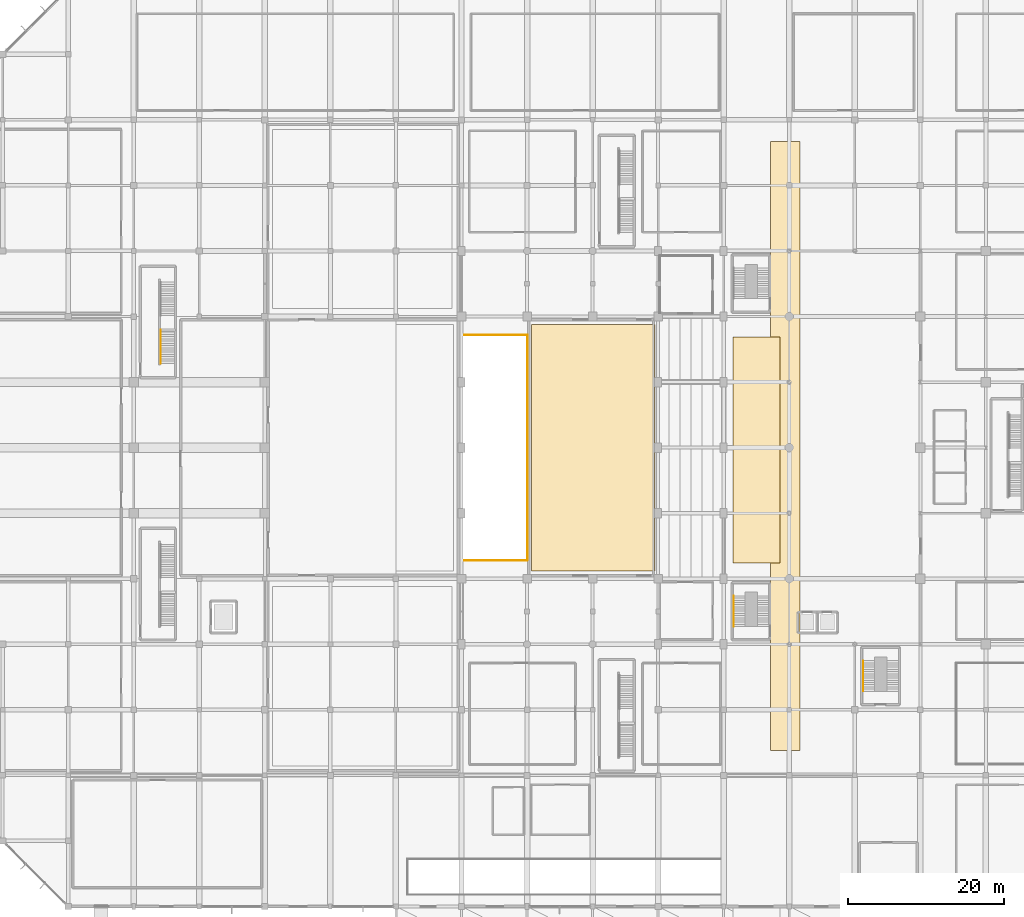
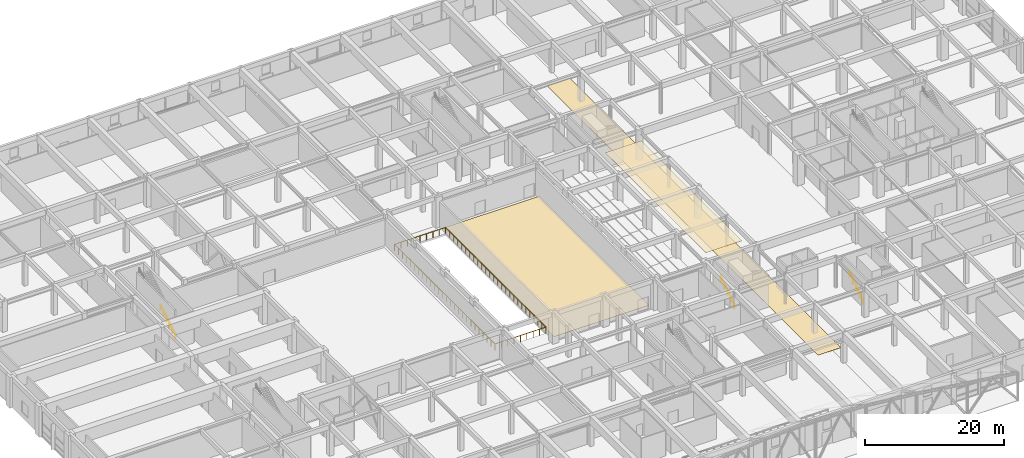
# One storey, part 56 of 62: 4 railings, 3 coverings.
"""IFC4 building model written with IfcOpenShell, lengths in metres."""

from ifc_helpers import new_model, si_unit, direction, frame, origin, origin_2d, place, context, subcontext, project, spatial, polyline, circle, outline, extrude, material, layer, layer_set, type_object, element, save


model = new_model("IFC4")

# Units and contexts
model_context = context("Model", 3, precision=1e-05, world=origin(), true_north=direction((0.0, 1.0)))
body_context = subcontext(model_context, "Body", "Model", "MODEL_VIEW")
ifc_project = project(units=[si_unit("LENGTHUNIT", "METRE"), si_unit("AREAUNIT", "SQUARE_METRE"), si_unit("VOLUMEUNIT", "CUBIC_METRE"), si_unit("PLANEANGLEUNIT", "RADIAN"), si_unit("MASSUNIT", "GRAM", prefix="KILO")], contexts=[model_context])

# Site, building, storey
site_placement = place(None, origin())
site = spatial("IfcSite", under=ifc_project, at=site_placement, CompositionType="ELEMENT")
building_placement = place(site_placement, origin())
building = spatial("IfcBuilding", under=site, at=building_placement, Name="Xuanlan Plaza Opera House", CompositionType="ELEMENT")
storey_placement = place(building_placement, origin())
storey = spatial("IfcBuildingStorey", under=building, at=storey_placement, Name="L00", CompositionType="ELEMENT", Elevation=0.0)

# Coverings
ifc_material_1 = material(Name="Gypsum Acoustic Board", Category="gypsum")
ifc_layer_1 = layer(ifc_material_1, 0.044921875)
ifc_layer_set_1 = layer_set([ifc_layer_1], Name="Gypsum Acoustic Board")
covering_type_1 = type_object("IfcCoveringType", Name="INT-COV-CLG-01", PredefinedType="CEILING", material=ifc_layer_set_1)
covering_1_placement = place(storey_placement, frame((0.0, 0.0, 5.094970703125)))
element("IfcCovering", 1, at=covering_1_placement, inside=storey, type_object=covering_type_1, Name="Acoustic Baffle Ceiling L00", PredefinedType="CEILING", context=body_context, shape_type="SweptSolid", body=[
    extrude(outline(polyline([(102.0, 44.0), (108.0, 44.0), (108.0, 73.0), (102.0, 73.0), (102.0, 44.0)])), origin(), (0.0, 0.0, 1.0), 0.044921875),
])
ifc_material_2 = material(Name="Walnut Hardwood Timber", Category="wood")
ifc_layer_2 = layer(ifc_material_2, 0.02490234375)
ifc_layer_set_2 = layer_set([ifc_layer_2], Name="Walnut Hardwood Timber")
covering_type_2 = type_object("IfcCoveringType", Name="INT-COV-FLR-02", PredefinedType="FLOORING", material=ifc_layer_set_2)
covering_2_placement = place(storey_placement, origin())
element("IfcCovering", 2, at=covering_2_placement, inside=storey, type_object=covering_type_2, Name="Acoustic Floor Finish FLR-AUD-L00", PredefinedType="FLOORING", context=body_context, shape_type="SweptSolid", body=[
    extrude(outline(polyline([(76.199951171875, 43.0), (92.0, 43.0), (92.0, 74.60009765625), (76.199951171875, 74.60009765625), (76.199951171875, 43.0)])), origin(), (0.0, 0.0, 1.0), 0.02490234375),
])
covering_3_placement = place(storey_placement, origin())
element("IfcCovering", 3, at=covering_3_placement, inside=storey, type_object=covering_type_2, Name="Acoustic Floor Finish FLR-FOY-L00", PredefinedType="FLOORING", context=body_context, shape_type="SweptSolid", body=[
    extrude(outline(polyline([(106.800048828125, 20.0), (110.60009765625, 20.0), (110.60009765625, 98.0), (106.800048828125, 98.0), (106.800048828125, 20.0)])), origin(), (0.0, 0.0, 1.0), 0.02490234375),
])

# Railings
ifc_material_3 = material(Name="Stainless Steel S30408 and Laminated Glass", Category="steel")
railing_type_1 = type_object("IfcRailingType", Name="INT-RL-GR03", PredefinedType="GUARDRAIL", material=ifc_material_3)
railing_1_placement = place(storey_placement, frame((67.159912109375, 44.360107421875, 0.0)))
element("IfcRailing", 4, at=railing_1_placement, inside=storey, type_object=railing_type_1, Name="Orchestra Pit Perimeter Guardrail", PredefinedType="GUARDRAIL", context=body_context, shape_type="SweptSolid", body=[
    extrude(circle(Radius=0.02392578125, at=origin_2d()), frame((0.0, 0.0, 1.09619140625), z_axis=(1.0, 0.0, 0.0), x_axis=(0.0, 1.0, 0.0)), (0.0, 0.0, 1.0), 8.47998046875),
    extrude(circle(Radius=0.02392578125, at=origin_2d()), frame((8.47998046875, 0.0, 1.09619140625), z_axis=(0.0, 1.0, 0.0), x_axis=(-1.0, 0.0, 0.0)), (0.0, 0.0, 1.0), 28.8798828125),
    extrude(circle(Radius=0.02392578125, at=origin_2d()), frame((8.47998046875, 28.8798828125, 1.09619140625), z_axis=(-1.0, 0.0, 0.0), x_axis=(0.0, -1.0, 0.0)), (0.0, 0.0, 1.0), 8.47998046875),
    extrude(circle(Radius=0.02392578125, at=origin_2d()), frame((0.0, 28.8798828125, 1.09619140625), z_axis=(0.0, -1.0, 0.0), x_axis=(1.0, 0.0, 0.0)), (0.0, 0.0, 1.0), 28.8798828125),
    extrude(circle(Radius=0.02099609375, at=origin_2d()), origin(), (0.0, 0.0, 1.0), 1.072021484375),
    extrude(circle(Radius=0.02099609375, at=origin_2d()), frame((1.06005859375, 0.0, 0.0)), (0.0, 0.0, 1.0), 1.072021484375),
    extrude(circle(Radius=0.02099609375, at=origin_2d()), frame((2.1201171875, 0.0, 0.0)), (0.0, 0.0, 1.0), 1.072021484375),
    extrude(circle(Radius=0.02099609375, at=origin_2d()), frame((3.179931640625, 0.0, 0.0)), (0.0, 0.0, 1.0), 1.072021484375),
    extrude(circle(Radius=0.02099609375, at=origin_2d()), frame((4.239990234375, 0.0, 0.0)), (0.0, 0.0, 1.0), 1.072021484375),
    extrude(circle(Radius=0.02099609375, at=origin_2d()), frame((5.300048828125, 0.0, 0.0)), (0.0, 0.0, 1.0), 1.072021484375),
    extrude(circle(Radius=0.02099609375, at=origin_2d()), frame((6.35986328125, 0.0, 0.0)), (0.0, 0.0, 1.0), 1.072021484375),
    extrude(circle(Radius=0.02099609375, at=origin_2d()), frame((7.419921875, 0.0, 0.0)), (0.0, 0.0, 1.0), 1.072021484375),
    extrude(circle(Radius=0.02099609375, at=origin_2d()), frame((8.47998046875, 0.0, 0.0)), (0.0, 0.0, 1.0), 1.072021484375),
    extrude(circle(Radius=0.02099609375, at=origin_2d()), frame((8.47998046875, 1.1552734375, 0.0)), (0.0, 0.0, 1.0), 1.072021484375),
    extrude(circle(Radius=0.02099609375, at=origin_2d()), frame((8.47998046875, 2.310302734375, 0.0)), (0.0, 0.0, 1.0), 1.072021484375),
    extrude(circle(Radius=0.02099609375, at=origin_2d()), frame((8.47998046875, 3.465576171875, 0.0)), (0.0, 0.0, 1.0), 1.072021484375),
    extrude(circle(Radius=0.02099609375, at=origin_2d()), frame((8.47998046875, 4.620849609375, 0.0)), (0.0, 0.0, 1.0), 1.072021484375),
    extrude(circle(Radius=0.02099609375, at=origin_2d()), frame((8.47998046875, 5.77587890625, 0.0)), (0.0, 0.0, 1.0), 1.072021484375),
    extrude(circle(Radius=0.02099609375, at=origin_2d()), frame((8.47998046875, 6.93115234375, 0.0)), (0.0, 0.0, 1.0), 1.072021484375),
    extrude(circle(Radius=0.02099609375, at=origin_2d()), frame((8.47998046875, 8.08642578125, 0.0)), (0.0, 0.0, 1.0), 1.072021484375),
    extrude(circle(Radius=0.02099609375, at=origin_2d()), frame((8.47998046875, 9.241455078125, 0.0)), (0.0, 0.0, 1.0), 1.072021484375),
    extrude(circle(Radius=0.02099609375, at=origin_2d()), frame((8.47998046875, 10.396728515625, 0.0)), (0.0, 0.0, 1.0), 1.072021484375),
    extrude(circle(Radius=0.02099609375, at=origin_2d()), frame((8.47998046875, 11.552001953125, 0.0)), (0.0, 0.0, 1.0), 1.072021484375),
    extrude(circle(Radius=0.02099609375, at=origin_2d()), frame((8.47998046875, 12.70703125, 0.0)), (0.0, 0.0, 1.0), 1.072021484375),
    extrude(circle(Radius=0.02099609375, at=origin_2d()), frame((8.47998046875, 13.8623046875, 0.0)), (0.0, 0.0, 1.0), 1.072021484375),
    extrude(circle(Radius=0.02099609375, at=origin_2d()), frame((8.47998046875, 15.017578125, 0.0)), (0.0, 0.0, 1.0), 1.072021484375),
    extrude(circle(Radius=0.02099609375, at=origin_2d()), frame((8.47998046875, 16.1728515625, 0.0)), (0.0, 0.0, 1.0), 1.072021484375),
    extrude(circle(Radius=0.02099609375, at=origin_2d()), frame((8.47998046875, 17.327880859375, 0.0)), (0.0, 0.0, 1.0), 1.072021484375),
    extrude(circle(Radius=0.02099609375, at=origin_2d()), frame((8.47998046875, 18.483154296875, 0.0)), (0.0, 0.0, 1.0), 1.072021484375),
    extrude(circle(Radius=0.02099609375, at=origin_2d()), frame((8.47998046875, 19.638427734375, 0.0)), (0.0, 0.0, 1.0), 1.072021484375),
    extrude(circle(Radius=0.02099609375, at=origin_2d()), frame((8.47998046875, 20.79345703125, 0.0)), (0.0, 0.0, 1.0), 1.072021484375),
    extrude(circle(Radius=0.02099609375, at=origin_2d()), frame((8.47998046875, 21.94873046875, 0.0)), (0.0, 0.0, 1.0), 1.072021484375),
    extrude(circle(Radius=0.02099609375, at=origin_2d()), frame((8.47998046875, 23.10400390625, 0.0)), (0.0, 0.0, 1.0), 1.072021484375),
    extrude(circle(Radius=0.02099609375, at=origin_2d()), frame((8.47998046875, 24.259033203125, 0.0)), (0.0, 0.0, 1.0), 1.072021484375),
    extrude(circle(Radius=0.02099609375, at=origin_2d()), frame((8.47998046875, 25.414306640625, 0.0)), (0.0, 0.0, 1.0), 1.072021484375),
    extrude(circle(Radius=0.02099609375, at=origin_2d()), frame((8.47998046875, 26.569580078125, 0.0)), (0.0, 0.0, 1.0), 1.072021484375),
    extrude(circle(Radius=0.02099609375, at=origin_2d()), frame((8.47998046875, 27.724609375, 0.0)), (0.0, 0.0, 1.0), 1.072021484375),
    extrude(circle(Radius=0.02099609375, at=origin_2d()), frame((8.47998046875, 28.8798828125, 0.0)), (0.0, 0.0, 1.0), 1.072021484375),
    extrude(circle(Radius=0.02099609375, at=origin_2d()), frame((7.419921875, 28.8798828125, 0.0)), (0.0, 0.0, 1.0), 1.072021484375),
    extrude(circle(Radius=0.02099609375, at=origin_2d()), frame((6.35986328125, 28.8798828125, 0.0)), (0.0, 0.0, 1.0), 1.072021484375),
    extrude(circle(Radius=0.02099609375, at=origin_2d()), frame((5.300048828125, 28.8798828125, 0.0)), (0.0, 0.0, 1.0), 1.072021484375),
    extrude(circle(Radius=0.02099609375, at=origin_2d()), frame((4.239990234375, 28.8798828125, 0.0)), (0.0, 0.0, 1.0), 1.072021484375),
    extrude(circle(Radius=0.02099609375, at=origin_2d()), frame((3.179931640625, 28.8798828125, 0.0)), (0.0, 0.0, 1.0), 1.072021484375),
    extrude(circle(Radius=0.02099609375, at=origin_2d()), frame((2.1201171875, 28.8798828125, 0.0)), (0.0, 0.0, 1.0), 1.072021484375),
    extrude(circle(Radius=0.02099609375, at=origin_2d()), frame((1.06005859375, 28.8798828125, 0.0)), (0.0, 0.0, 1.0), 1.072021484375),
    extrude(circle(Radius=0.02099609375, at=origin_2d()), frame((0.0, 28.8798828125, 0.0)), (0.0, 0.0, 1.0), 1.072021484375),
    extrude(circle(Radius=0.02099609375, at=origin_2d()), frame((0.0, 27.724609375, 0.0)), (0.0, 0.0, 1.0), 1.072021484375),
    extrude(circle(Radius=0.02099609375, at=origin_2d()), frame((0.0, 26.569580078125, 0.0)), (0.0, 0.0, 1.0), 1.072021484375),
    extrude(circle(Radius=0.02099609375, at=origin_2d()), frame((0.0, 25.414306640625, 0.0)), (0.0, 0.0, 1.0), 1.072021484375),
    extrude(circle(Radius=0.02099609375, at=origin_2d()), frame((0.0, 24.259033203125, 0.0)), (0.0, 0.0, 1.0), 1.072021484375),
    extrude(circle(Radius=0.02099609375, at=origin_2d()), frame((0.0, 23.10400390625, 0.0)), (0.0, 0.0, 1.0), 1.072021484375),
    extrude(circle(Radius=0.02099609375, at=origin_2d()), frame((0.0, 21.94873046875, 0.0)), (0.0, 0.0, 1.0), 1.072021484375),
    extrude(circle(Radius=0.02099609375, at=origin_2d()), frame((0.0, 20.79345703125, 0.0)), (0.0, 0.0, 1.0), 1.072021484375),
    extrude(circle(Radius=0.02099609375, at=origin_2d()), frame((0.0, 19.638427734375, 0.0)), (0.0, 0.0, 1.0), 1.072021484375),
    extrude(circle(Radius=0.02099609375, at=origin_2d()), frame((0.0, 18.483154296875, 0.0)), (0.0, 0.0, 1.0), 1.072021484375),
    extrude(circle(Radius=0.02099609375, at=origin_2d()), frame((0.0, 17.327880859375, 0.0)), (0.0, 0.0, 1.0), 1.072021484375),
    extrude(circle(Radius=0.02099609375, at=origin_2d()), frame((0.0, 16.1728515625, 0.0)), (0.0, 0.0, 1.0), 1.072021484375),
    extrude(circle(Radius=0.02099609375, at=origin_2d()), frame((0.0, 15.017578125, 0.0)), (0.0, 0.0, 1.0), 1.072021484375),
    extrude(circle(Radius=0.02099609375, at=origin_2d()), frame((0.0, 13.8623046875, 0.0)), (0.0, 0.0, 1.0), 1.072021484375),
    extrude(circle(Radius=0.02099609375, at=origin_2d()), frame((0.0, 12.70703125, 0.0)), (0.0, 0.0, 1.0), 1.072021484375),
    extrude(circle(Radius=0.02099609375, at=origin_2d()), frame((0.0, 11.552001953125, 0.0)), (0.0, 0.0, 1.0), 1.072021484375),
    extrude(circle(Radius=0.02099609375, at=origin_2d()), frame((0.0, 10.396728515625, 0.0)), (0.0, 0.0, 1.0), 1.072021484375),
    extrude(circle(Radius=0.02099609375, at=origin_2d()), frame((0.0, 9.241455078125, 0.0)), (0.0, 0.0, 1.0), 1.072021484375),
    extrude(circle(Radius=0.02099609375, at=origin_2d()), frame((0.0, 8.08642578125, 0.0)), (0.0, 0.0, 1.0), 1.072021484375),
    extrude(circle(Radius=0.02099609375, at=origin_2d()), frame((0.0, 6.93115234375, 0.0)), (0.0, 0.0, 1.0), 1.072021484375),
    extrude(circle(Radius=0.02099609375, at=origin_2d()), frame((0.0, 5.77587890625, 0.0)), (0.0, 0.0, 1.0), 1.072021484375),
    extrude(circle(Radius=0.02099609375, at=origin_2d()), frame((0.0, 4.620849609375, 0.0)), (0.0, 0.0, 1.0), 1.072021484375),
    extrude(circle(Radius=0.02099609375, at=origin_2d()), frame((0.0, 3.465576171875, 0.0)), (0.0, 0.0, 1.0), 1.072021484375),
    extrude(circle(Radius=0.02099609375, at=origin_2d()), frame((0.0, 2.310302734375, 0.0)), (0.0, 0.0, 1.0), 1.072021484375),
    extrude(circle(Radius=0.02099609375, at=origin_2d()), frame((0.0, 1.1552734375, 0.0)), (0.0, 0.0, 1.0), 1.072021484375),
])
ifc_material_4 = material(Name="Stainless Steel S30408", Category="steel")
railing_type_2 = type_object("IfcRailingType", Name="INT-RL-HR01", PredefinedType="HANDRAIL", material=ifc_material_4)
railing_2_placement = place(storey_placement, frame((28.659912109375, 69.60009765625, 0.168701171875)))
element("IfcRailing", 5, at=railing_2_placement, inside=storey, type_object=railing_type_2, Name="Stair Handrail ST-P2 L00 Flight 1", PredefinedType="HANDRAIL", context=body_context, shape_type="SweptSolid", body=[
    extrude(circle(Radius=0.02392578125, at=origin_2d()), frame((0.0, 0.0, 0.8759765625), z_axis=(0.0, 0.860470286479, 0.509500624227), x_axis=(-1.0, 0.0, 0.0)), (0.0, 0.0, 1.0), 4.968017578125),
    extrude(circle(Radius=0.02099609375, at=origin_2d()), origin(), (0.0, 0.0, 1.0), 0.851806640625),
    extrude(circle(Radius=0.02099609375, at=origin_2d()), frame((0.0, 0.85498046875, 0.50634765625)), (0.0, 0.0, 1.0), 0.851806640625),
    extrude(circle(Radius=0.02099609375, at=origin_2d()), frame((0.0, 1.7099609375, 1.012451171875)), (0.0, 0.0, 1.0), 0.851806640625),
    extrude(circle(Radius=0.02099609375, at=origin_2d()), frame((0.0, 2.56494140625, 1.518798828125)), (0.0, 0.0, 1.0), 0.851806640625),
    extrude(circle(Radius=0.02099609375, at=origin_2d()), frame((0.0, 3.419921875, 2.02490234375)), (0.0, 0.0, 1.0), 0.851806640625),
    extrude(circle(Radius=0.02099609375, at=origin_2d()), frame((0.0, 4.27490234375, 2.53125)), (0.0, 0.0, 1.0), 0.851806640625),
])
railing_type_3 = type_object("IfcRailingType", Name="INT-RL-HR02", PredefinedType="HANDRAIL", material=ifc_material_4)
railing_3_placement = place(storey_placement, frame((102.080078125, 35.8798828125, 0.179931640625)))
element("IfcRailing", 6, at=railing_3_placement, inside=storey, type_object=railing_type_3, Name="Feature Stair Handrail ST-F1 L00 Flight 1", PredefinedType="HANDRAIL", context=body_context, shape_type="SweptSolid", body=[
    extrude(circle(Radius=0.02392578125, at=origin_2d()), frame((0.0, 0.0, 0.89599609375), z_axis=(0.0, 0.841186985886, 0.540744352514), x_axis=(-1.0, 0.0, 0.0)), (0.0, 0.0, 1.0), 4.660400390625),
    extrude(circle(Radius=0.02099609375, at=origin_2d()), origin(), (0.0, 0.0, 1.0), 0.871826171875),
    extrude(circle(Radius=0.02099609375, at=origin_2d()), frame((0.0, 0.97998046875, 0.6298828125)), (0.0, 0.0, 1.0), 0.871826171875),
    extrude(circle(Radius=0.02099609375, at=origin_2d()), frame((0.0, 1.9599609375, 1.260009765625)), (0.0, 0.0, 1.0), 0.871826171875),
    extrude(circle(Radius=0.02099609375, at=origin_2d()), frame((0.0, 2.940185546875, 1.89013671875)), (0.0, 0.0, 1.0), 0.871826171875),
    extrude(circle(Radius=0.02099609375, at=origin_2d()), frame((0.0, 3.920166015625, 2.52001953125)), (0.0, 0.0, 1.0), 0.871826171875),
])
railing_4_placement = place(storey_placement, frame((118.679931640625, 27.580078125, 0.179931640625)))
element("IfcRailing", 7, at=railing_4_placement, inside=storey, type_object=railing_type_3, Name="Feature Stair Handrail ST-F3 L00 Flight 1", PredefinedType="HANDRAIL", context=body_context, shape_type="SweptSolid", body=[
    extrude(circle(Radius=0.02392578125, at=origin_2d()), frame((0.0, 0.0, 0.89599609375), z_axis=(0.0, 0.841171666519, 0.540768182723), x_axis=(-1.0, 0.0, 0.0)), (0.0, 0.0, 1.0), 4.66015625),
    extrude(circle(Radius=0.02099609375, at=origin_2d()), origin(), (0.0, 0.0, 1.0), 0.871826171875),
    extrude(circle(Radius=0.02099609375, at=origin_2d()), frame((0.0, 0.97998046875, 0.6298828125)), (0.0, 0.0, 1.0), 0.871826171875),
    extrude(circle(Radius=0.02099609375, at=origin_2d()), frame((0.0, 1.9599609375, 1.260009765625)), (0.0, 0.0, 1.0), 0.871826171875),
    extrude(circle(Radius=0.02099609375, at=origin_2d()), frame((0.0, 2.93994140625, 1.89013671875)), (0.0, 0.0, 1.0), 0.871826171875),
    extrude(circle(Radius=0.02099609375, at=origin_2d()), frame((0.0, 3.919921875, 2.52001953125)), (0.0, 0.0, 1.0), 0.871826171875),
])

save(model, "model.ifc")
